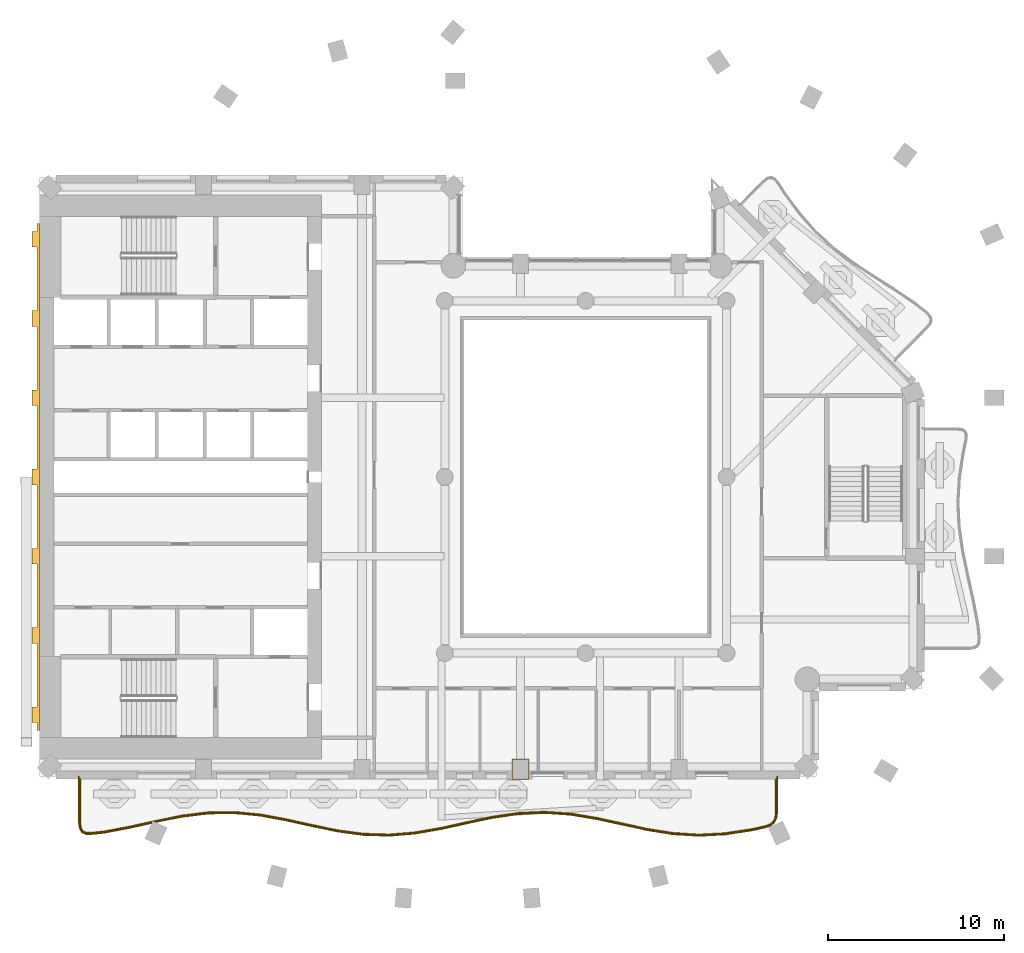
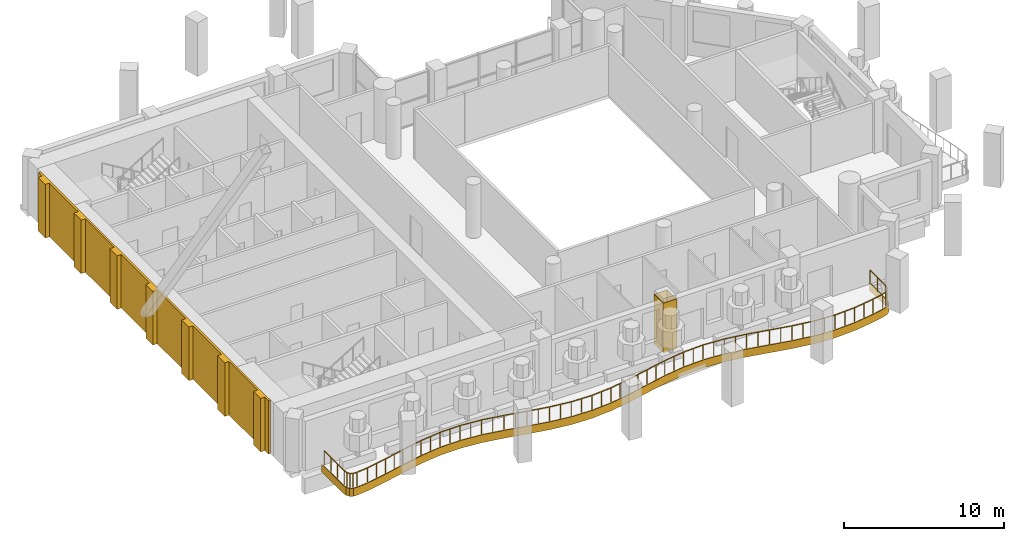
# One storey, part 12 of 16: 3 coverings, 1 railing.
"""IFC4 building model written with IfcOpenShell, lengths in metres."""

from ifc_helpers import new_model, si_unit, direction, frame, origin, origin_2d, place, context, subcontext, project, spatial, polyline, rectangle, outline, extrude, material, layer, layer_set, type_object, element, save


model = new_model("IFC4")

# Units and contexts
model_context = context("Model", 3, precision=1e-05, world=origin(), true_north=direction((0.0, 1.0)))
body_context = subcontext(model_context, "Body", "Model", "MODEL_VIEW")
ifc_project = project(units=[si_unit("LENGTHUNIT", "METRE"), si_unit("AREAUNIT", "SQUARE_METRE"), si_unit("VOLUMEUNIT", "CUBIC_METRE"), si_unit("PLANEANGLEUNIT", "RADIAN"), si_unit("MASSUNIT", "GRAM", prefix="KILO")], contexts=[model_context])

# Site, building, storey
site_placement = place(None, origin())
site = spatial("IfcSite", under=ifc_project, at=site_placement, CompositionType="ELEMENT")
building_placement = place(site_placement, origin())
building = spatial("IfcBuilding", under=site, at=building_placement, Name="Cypress Arch Tower", CompositionType="ELEMENT")
storey_placement = place(building_placement, frame((0.0, 0.0, 172.800048828125)))
storey = spatial("IfcBuildingStorey", under=building, at=storey_placement, Name="L37", CompositionType="ELEMENT", Elevation=172.800048828125)

# Covering
ifc_material_1 = material(Name="White powder-coated aluminium fascia", Category="aluminium")
ifc_layer_1 = layer(ifc_material_1, 0.050048828125)
ifc_layer_set_1 = layer_set([ifc_layer_1], Name="Balcony fascia BF50")
covering_type_1 = type_object("IfcCoveringType", Name="Balcony fascia BF50", PredefinedType="CLADDING", material=ifc_layer_set_1)
covering_1_placement = place(storey_placement, frame((0.0, 0.0, -0.60009765625)))
element("IfcCovering", 1, at=covering_1_placement, inside=storey, type_object=covering_type_1, Name="Balcony fascia L37-B01", PredefinedType="CLADDING", context=body_context, shape_type="SweptSolid", body=[
    extrude(outline(polyline([(11.89990234375, -19.06884765625), (11.857177734375, -19.385009765625), (11.724609375, -19.638916015625), (11.50390625, -19.821533203125), (11.203857421875, -19.9296875), (10.392333984375, -20.103271484375), (8.921875, -20.328369140625), (7.44970703125, -20.40625), (5.977783203125, -20.317138671875), (4.507568359375, -20.083740234375), (3.039306640625, -19.7666015625), (1.573974609375, -19.447021484375), (0.11083984375, -19.206787109375), (-1.3505859375, -19.107421875), (-2.811767578125, -19.173583984375), (-4.2744140625, -19.388916015625), (-5.739501953125, -19.698486328125), (-7.20703125, -20.023193359375), (-8.677001953125, -20.279541015625), (-10.148681640625, -20.401611328125), (-11.620849609375, -20.357421875), (-13.091796875, -20.15869140625), (-14.560546875, -19.85693359375), (-16.026611328125, -19.529541015625), (-17.490234375, -19.260498046875), (-18.9521484375, -19.118408203125), (-20.413330078125, -19.139404296875), (-21.87548828125, -19.318115234375), (-23.339599609375, -19.609130859375), (-24.806396484375, -19.93798828125), (-26.27587890625, -20.220703125), (-27.088134765625, -20.31103515625), (-27.39111328125, -20.301025390625), (-27.61962890625, -20.1884765625), (-27.756591796875, -19.973876953125), (-27.800048828125, -19.673828125), (-27.800048828125, -17.0009765625), (-27.75, -17.0009765625), (-27.75, -19.670166015625), (-27.708740234375, -19.9560546875), (-27.5849609375, -20.14990234375), (-27.378662109375, -20.25146484375), (-27.090087890625, -20.260986328125), (-26.283447265625, -20.17138671875), (-24.816650390625, -19.88916015625), (-23.35009765625, -19.56005859375), (-21.88330078125, -19.2685546875), (-20.416748046875, -19.08935546875), (-18.949951171875, -19.068359375), (-17.4833984375, -19.2109375), (-16.0166015625, -19.48046875), (-14.550048828125, -19.80810546875), (-13.083251953125, -20.109375), (-11.61669921875, -20.3076171875), (-10.14990234375, -20.3515625), (-8.683349609375, -20.22998046875), (-7.216552734375, -19.97412109375), (-5.75, -19.649658203125), (-4.283447265625, -19.33984375), (-2.816650390625, -19.123779296875), (-1.35009765625, -19.05712890625), (0.11669921875, -19.1572265625), (1.583251953125, -19.39794921875), (3.050048828125, -19.7177734375), (4.5166015625, -20.03466796875), (5.9833984375, -20.267333984375), (7.449951171875, -20.356201171875), (8.916748046875, -20.278564453125), (10.38330078125, -20.053955078125), (11.18994140625, -19.881591796875), (11.478759765625, -19.777587890625), (11.68505859375, -19.60693359375), (11.808837890625, -19.36962890625), (11.85009765625, -19.0654296875), (11.85009765625, -17.0009765625), (11.89990234375, -17.0009765625), (11.89990234375, -19.06884765625)])), origin(), (0.0, 0.0, 1.0), 0.60009765625),
])

# Railing
ifc_material_2 = material(Name="Powder-coated steel posts and rods, 100 mm clear between rods", Category="steel")
railing_type = type_object("IfcRailingType", Name="Balcony guard GR1100", PredefinedType="GUARDRAIL", material=ifc_material_2)
railing_placement = place(storey_placement, frame((11.800048828125, -17.14990234375, 0.0)))
element("IfcRailing", 2, at=railing_placement, inside=storey, type_object=railing_type, Name="Balcony guard L37-B01", PredefinedType="GUARDRAIL", context=body_context, shape_type="SweptSolid", body=[
    extrude(rectangle(XDim=0.050048828125, YDim=0.050048828125, at=origin_2d()), frame((0.0, 0.0, 1.0751953125), z_axis=(0.0, -1.0, 0.0), x_axis=(1.0, 0.0, 0.0)), (0.0, 0.0, 1.0), 1.912109375),
    extrude(rectangle(XDim=0.050048828125, YDim=0.050048828125, at=origin_2d()), frame((0.0, -1.912109375, 1.0751953125), z_axis=(-0.134115656737, -0.990965685893, 0.0), x_axis=(0.990965685893, -0.134115656737, 0.0)), (0.0, 0.0, 1.0), 0.294921875),
    extrude(rectangle(XDim=0.050048828125, YDim=0.050048828125, at=origin_2d()), frame((-0.03955078125, -2.204345703125, 1.0751953125), z_axis=(-0.462834078926, -0.886444930825, 0.0), x_axis=(0.886444930825, -0.462834078926, 0.0)), (0.0, 0.0, 1.0), 0.2490234375),
    extrude(rectangle(XDim=0.050048828125, YDim=0.050048828125, at=origin_2d()), frame((-0.15478515625, -2.425048828125, 1.0751953125), z_axis=(-0.770710175126, -0.637185864531, 0.0), x_axis=(0.637185864531, -0.770710175126, 0.0)), (0.0, 0.0, 1.0), 0.248779296875),
    extrude(rectangle(XDim=0.050048828125, YDim=0.050048828125, at=origin_2d()), frame((-0.346435546875, -2.58349609375, 1.0751953125), z_axis=(-0.940876853154, -0.338748796602, 0.0), x_axis=(0.338748796602, -0.940876853154, 0.0)), (0.0, 0.0, 1.0), 0.294677734375),
    extrude(rectangle(XDim=0.050048828125, YDim=0.050048828125, at=origin_2d()), frame((-0.623779296875, -2.683349609375, 1.0751953125), z_axis=(-0.977859009022, -0.209264804671, 0.0), x_axis=(0.209264804671, -0.977859009022, 0.0)), (0.0, 0.0, 1.0), 0.820068359375),
    extrude(rectangle(XDim=0.050048828125, YDim=0.050048828125, at=origin_2d()), frame((-1.42578125, -2.85498046875, 1.0751953125), z_axis=(-0.98848776346, -0.151300831095, 0.0), x_axis=(0.151300831095, -0.98848776346, 0.0)), (0.0, 0.0, 1.0), 1.479736328125),
    extrude(rectangle(XDim=0.050048828125, YDim=0.050048828125, at=origin_2d()), frame((-2.888427734375, -3.078857421875, 1.0751953125), z_axis=(-0.998600725843, -0.052882798211, 0.0), x_axis=(0.052882798211, -0.998600725843, 0.0)), (0.0, 0.0, 1.0), 1.46337890625),
    extrude(rectangle(XDim=0.050048828125, YDim=0.050048828125, at=origin_2d()), frame((-4.349853515625, -3.15625, 1.0751953125), z_axis=(-0.998166360143, 0.06053030216, 0.0), x_axis=(-0.06053030216, -0.998166360143, 0.0)), (0.0, 0.0, 1.0), 1.464111328125),
    extrude(rectangle(XDim=0.050048828125, YDim=0.050048828125, at=origin_2d()), frame((-5.811279296875, -3.067626953125, 1.0751953125), z_axis=(-0.987638363848, 0.156749680244, 0.0), x_axis=(-0.156749680244, -0.987638363848, 0.0)), (0.0, 0.0, 1.0), 1.481201171875),
    extrude(rectangle(XDim=0.050048828125, YDim=0.050048828125, at=origin_2d()), frame((-7.274169921875, -2.83544921875, 1.0751953125), z_axis=(-0.977438705998, 0.211219260526, 0.0), x_axis=(-0.211219260526, -0.977438705998, 0.0)), (0.0, 0.0, 1.0), 1.499267578125),
    extrude(rectangle(XDim=0.050048828125, YDim=0.050048828125, at=origin_2d()), frame((-8.739501953125, -2.518798828125, 1.0751953125), z_axis=(-0.977039755529, 0.213057072438, 0.0), x_axis=(-0.213057072438, -0.977039755529, 0.0)), (0.0, 0.0, 1.0), 1.502197265625),
    extrude(rectangle(XDim=0.050048828125, YDim=0.050048828125, at=origin_2d()), frame((-10.207275390625, -2.19873046875, 1.0751953125), z_axis=(-0.986811366095, 0.161874419675, 0.0), x_axis=(-0.161874419675, -0.986811366095, 0.0)), (0.0, 0.0, 1.0), 1.489990234375),
    extrude(rectangle(XDim=0.050048828125, YDim=0.050048828125, at=origin_2d()), frame((-11.677734375, -1.95751953125, 1.0751953125), z_axis=(-0.997683692682, 0.068023888137, 0.0), x_axis=(-0.068023888137, -0.997683692682, 0.0)), (0.0, 0.0, 1.0), 1.47509765625),
    extrude(rectangle(XDim=0.050048828125, YDim=0.050048828125, at=origin_2d()), frame((-13.1494140625, -1.857177734375, 1.0751953125), z_axis=(-0.998969223258, -0.045392631372, 0.0), x_axis=(0.045392631372, -0.998969223258, 0.0)), (0.0, 0.0, 1.0), 1.4736328125),
    extrude(rectangle(XDim=0.050048828125, YDim=0.050048828125, at=origin_2d()), frame((-14.62158203125, -1.924072265625, 1.0751953125), z_axis=(-0.98933269733, -0.145673655799, 0.0), x_axis=(0.145673655799, -0.98933269733, 0.0)), (0.0, 0.0, 1.0), 1.486572265625),
    extrude(rectangle(XDim=0.050048828125, YDim=0.050048828125, at=origin_2d()), frame((-16.09228515625, -2.140625, 1.0751953125), z_axis=(-0.978388960308, -0.206772924601, 0.0), x_axis=(0.206772924601, -0.978388960308, 0.0)), (0.0, 0.0, 1.0), 1.500732421875),
    extrude(rectangle(XDim=0.050048828125, YDim=0.050048828125, at=origin_2d()), frame((-17.560546875, -2.450927734375, 1.0751953125), z_axis=(-0.976400866367, -0.215966081035, 0.0), x_axis=(0.215966081035, -0.976400866367, 0.0)), (0.0, 0.0, 1.0), 1.501220703125),
    extrude(rectangle(XDim=0.050048828125, YDim=0.050048828125, at=origin_2d()), frame((-19.0263671875, -2.775146484375, 1.0751953125), z_axis=(-0.985112679222, -0.171909886965, 0.0), x_axis=(0.171909886965, -0.985112679222, 0.0)), (0.0, 0.0, 1.0), 1.485595703125),
    extrude(rectangle(XDim=0.050048828125, YDim=0.050048828125, at=origin_2d()), frame((-20.48974609375, -3.030517578125, 1.0751953125), z_axis=(-0.996585821194, -0.082563315068, 0.0), x_axis=(0.082563315068, -0.996585821194, 0.0)), (0.0, 0.0, 1.0), 1.466796875),
    extrude(rectangle(XDim=0.050048828125, YDim=0.050048828125, at=origin_2d()), frame((-21.951416015625, -3.151611328125, 1.0751953125), z_axis=(-0.99954804811, 0.030061595432, 0.0), x_axis=(-0.030061595432, -0.99954804811, 0.0)), (0.0, 0.0, 1.0), 1.4619140625),
    extrude(rectangle(XDim=0.050048828125, YDim=0.050048828125, at=origin_2d()), frame((-23.41259765625, -3.107666015625, 1.0751953125), z_axis=(-0.991002515576, 0.133843244591, 0.0), x_axis=(-0.133843244591, -0.991002515576, 0.0)), (0.0, 0.0, 1.0), 1.4755859375),
    extrude(rectangle(XDim=0.050048828125, YDim=0.050048828125, at=origin_2d()), frame((-24.875, -2.91015625, 1.0751953125), z_axis=(-0.97952433369, 0.201325804874, 0.0), x_axis=(-0.201325804874, -0.97952433369, 0.0)), (0.0, 0.0, 1.0), 1.4951171875),
    extrude(rectangle(XDim=0.050048828125, YDim=0.050048828125, at=origin_2d()), frame((-26.339599609375, -2.609130859375, 1.0751953125), z_axis=(-0.97595722182, 0.217962155381, 0.0), x_axis=(-0.217962155381, -0.97595722182, 0.0)), (0.0, 0.0, 1.0), 1.503173828125),
    extrude(rectangle(XDim=0.050048828125, YDim=0.050048828125, at=origin_2d()), frame((-27.806640625, -2.281494140625, 1.0751953125), z_axis=(-0.9835388712, 0.180696676337, 0.0), x_axis=(-0.180696676337, -0.9835388712, 0.0)), (0.0, 0.0, 1.0), 1.494384765625),
    extrude(rectangle(XDim=0.050048828125, YDim=0.050048828125, at=origin_2d()), frame((-29.2763671875, -2.011474609375, 1.0751953125), z_axis=(-0.995308045195, 0.096756886942, 0.0), x_axis=(-0.096756886942, -0.995308045195, 0.0)), (0.0, 0.0, 1.0), 1.478515625),
    extrude(rectangle(XDim=0.050048828125, YDim=0.050048828125, at=origin_2d()), frame((-30.748046875, -1.868408203125, 1.0751953125), z_axis=(-0.999898312859, -0.014260572953, 0.0), x_axis=(0.014260572953, -0.999898312859, 0.0)), (0.0, 0.0, 1.0), 1.472412109375),
    extrude(rectangle(XDim=0.050048828125, YDim=0.050048828125, at=origin_2d()), frame((-32.22021484375, -1.889404296875, 1.0751953125), z_axis=(-0.992603817054, -0.121398774173, 0.0), x_axis=(0.121398774173, -0.992603817054, 0.0)), (0.0, 0.0, 1.0), 1.482177734375),
    extrude(rectangle(XDim=0.050048828125, YDim=0.050048828125, at=origin_2d()), frame((-33.69140625, -2.0693359375, 1.0751953125), z_axis=(-0.980811960963, -0.194956141817, 0.0), x_axis=(0.194956141817, -0.980811960963, 0.0)), (0.0, 0.0, 1.0), 1.497802734375),
    extrude(rectangle(XDim=0.050048828125, YDim=0.050048828125, at=origin_2d()), frame((-35.160400390625, -2.361328125, 1.0751953125), z_axis=(-0.975768652778, -0.218804790293, 0.0), x_axis=(0.218804790293, -0.975768652778, 0.0)), (0.0, 0.0, 1.0), 1.5029296875),
    extrude(rectangle(XDim=0.050048828125, YDim=0.050048828125, at=origin_2d()), frame((-36.626953125, -2.690185546875, 1.0751953125), z_axis=(-0.981978400967, -0.188993174569, 0.0), x_axis=(0.188993174569, -0.981978400967, 0.0)), (0.0, 0.0, 1.0), 1.49072265625),
    extrude(rectangle(XDim=0.050048828125, YDim=0.050048828125, at=origin_2d()), frame((-38.0908203125, -2.971923828125, 1.0751953125), z_axis=(-0.993905873355, -0.110232095643, 0.0), x_axis=(0.110232095643, -0.993905873355, 0.0)), (0.0, 0.0, 1.0), 0.80615234375),
    extrude(rectangle(XDim=0.050048828125, YDim=0.050048828125, at=origin_2d()), frame((-38.89208984375, -3.060791015625, 1.0751953125), z_axis=(-0.999487482843, 0.032012054611, 0.0), x_axis=(-0.032012054611, -0.999487482843, 0.0)), (0.0, 0.0, 1.0), 0.274658203125),
    extrude(rectangle(XDim=0.050048828125, YDim=0.050048828125, at=origin_2d()), frame((-39.16650390625, -3.052001953125, 1.0751953125), z_axis=(-0.896560091803, 0.442922117066, 0.0), x_axis=(-0.442922117066, -0.896560091803, 0.0)), (0.0, 0.0, 1.0), 0.205078125),
    extrude(rectangle(XDim=0.050048828125, YDim=0.050048828125, at=origin_2d()), frame((-39.350341796875, -2.961181640625, 1.0751953125), z_axis=(-0.53895240929, 0.842336215843, 0.0), x_axis=(-0.842336215843, -0.53895240929, 0.0)), (0.0, 0.0, 1.0), 0.205322265625),
    extrude(rectangle(XDim=0.050048828125, YDim=0.050048828125, at=origin_2d()), frame((-39.4609375, -2.788330078125, 1.0751953125), z_axis=(-0.142292845106, 0.989824603772, 0.0), x_axis=(-0.989824603772, -0.142292845106, 0.0)), (0.0, 0.0, 1.0), 0.2744140625),
    extrude(rectangle(XDim=0.050048828125, YDim=0.050048828125, at=origin_2d()), frame((-39.5, -2.5166015625, 1.0751953125), z_axis=(0.0, 1.0, 0.0), x_axis=(-1.0, 0.0, 0.0)), (0.0, 0.0, 1.0), 2.5166015625),
    extrude(rectangle(XDim=0.0400390625, YDim=0.0400390625, at=origin_2d()), origin(), (0.0, 0.0, 1.0), 1.050048828125),
    extrude(rectangle(XDim=0.0400390625, YDim=0.0400390625, at=origin_2d()), frame((0.0, -0.9560546875, 0.0)), (0.0, 0.0, 1.0), 1.050048828125),
    extrude(rectangle(XDim=0.0400390625, YDim=0.0400390625, at=origin_2d()), frame((0.0, -1.912109375, 0.0)), (0.0, 0.0, 1.0), 1.050048828125),
    extrude(rectangle(XDim=0.0400390625, YDim=0.0400390625, at=origin_2d()), frame((-0.03955078125, -2.204345703125, 0.0)), (0.0, 0.0, 1.0), 1.050048828125),
    extrude(rectangle(XDim=0.0400390625, YDim=0.0400390625, at=origin_2d()), frame((-0.15478515625, -2.425048828125, 0.0)), (0.0, 0.0, 1.0), 1.050048828125),
    extrude(rectangle(XDim=0.0400390625, YDim=0.0400390625, at=origin_2d()), frame((-0.346435546875, -2.58349609375, 0.0)), (0.0, 0.0, 1.0), 1.050048828125),
    extrude(rectangle(XDim=0.0400390625, YDim=0.0400390625, at=origin_2d()), frame((-0.623779296875, -2.683349609375, 0.0)), (0.0, 0.0, 1.0), 1.050048828125),
    extrude(rectangle(XDim=0.0400390625, YDim=0.0400390625, at=origin_2d()), frame((-1.42578125, -2.85498046875, 0.0)), (0.0, 0.0, 1.0), 1.050048828125),
    extrude(rectangle(XDim=0.0400390625, YDim=0.0400390625, at=origin_2d()), frame((-2.1572265625, -2.966796875, 0.0)), (0.0, 0.0, 1.0), 1.050048828125),
    extrude(rectangle(XDim=0.0400390625, YDim=0.0400390625, at=origin_2d()), frame((-2.888427734375, -3.078857421875, 0.0)), (0.0, 0.0, 1.0), 1.050048828125),
    extrude(rectangle(XDim=0.0400390625, YDim=0.0400390625, at=origin_2d()), frame((-3.619140625, -3.11767578125, 0.0)), (0.0, 0.0, 1.0), 1.050048828125),
    extrude(rectangle(XDim=0.0400390625, YDim=0.0400390625, at=origin_2d()), frame((-4.349853515625, -3.15625, 0.0)), (0.0, 0.0, 1.0), 1.050048828125),
    extrude(rectangle(XDim=0.0400390625, YDim=0.0400390625, at=origin_2d()), frame((-5.08056640625, -3.11181640625, 0.0)), (0.0, 0.0, 1.0), 1.050048828125),
    extrude(rectangle(XDim=0.0400390625, YDim=0.0400390625, at=origin_2d()), frame((-5.811279296875, -3.067626953125, 0.0)), (0.0, 0.0, 1.0), 1.050048828125),
    extrude(rectangle(XDim=0.0400390625, YDim=0.0400390625, at=origin_2d()), frame((-6.542724609375, -2.95166015625, 0.0)), (0.0, 0.0, 1.0), 1.050048828125),
    extrude(rectangle(XDim=0.0400390625, YDim=0.0400390625, at=origin_2d()), frame((-7.274169921875, -2.83544921875, 0.0)), (0.0, 0.0, 1.0), 1.050048828125),
    extrude(rectangle(XDim=0.0400390625, YDim=0.0400390625, at=origin_2d()), frame((-8.0068359375, -2.67724609375, 0.0)), (0.0, 0.0, 1.0), 1.050048828125),
    extrude(rectangle(XDim=0.0400390625, YDim=0.0400390625, at=origin_2d()), frame((-8.739501953125, -2.518798828125, 0.0)), (0.0, 0.0, 1.0), 1.050048828125),
    extrude(rectangle(XDim=0.0400390625, YDim=0.0400390625, at=origin_2d()), frame((-9.473388671875, -2.35888671875, 0.0)), (0.0, 0.0, 1.0), 1.050048828125),
    extrude(rectangle(XDim=0.0400390625, YDim=0.0400390625, at=origin_2d()), frame((-10.207275390625, -2.19873046875, 0.0)), (0.0, 0.0, 1.0), 1.050048828125),
    extrude(rectangle(XDim=0.0400390625, YDim=0.0400390625, at=origin_2d()), frame((-10.9423828125, -2.078125, 0.0)), (0.0, 0.0, 1.0), 1.050048828125),
    extrude(rectangle(XDim=0.0400390625, YDim=0.0400390625, at=origin_2d()), frame((-11.677734375, -1.95751953125, 0.0)), (0.0, 0.0, 1.0), 1.050048828125),
    extrude(rectangle(XDim=0.0400390625, YDim=0.0400390625, at=origin_2d()), frame((-12.41357421875, -1.9072265625, 0.0)), (0.0, 0.0, 1.0), 1.050048828125),
    extrude(rectangle(XDim=0.0400390625, YDim=0.0400390625, at=origin_2d()), frame((-13.1494140625, -1.857177734375, 0.0)), (0.0, 0.0, 1.0), 1.050048828125),
    extrude(rectangle(XDim=0.0400390625, YDim=0.0400390625, at=origin_2d()), frame((-13.885498046875, -1.890625, 0.0)), (0.0, 0.0, 1.0), 1.050048828125),
    extrude(rectangle(XDim=0.0400390625, YDim=0.0400390625, at=origin_2d()), frame((-14.62158203125, -1.924072265625, 0.0)), (0.0, 0.0, 1.0), 1.050048828125),
    extrude(rectangle(XDim=0.0400390625, YDim=0.0400390625, at=origin_2d()), frame((-15.35693359375, -2.0322265625, 0.0)), (0.0, 0.0, 1.0), 1.050048828125),
    extrude(rectangle(XDim=0.0400390625, YDim=0.0400390625, at=origin_2d()), frame((-16.09228515625, -2.140625, 0.0)), (0.0, 0.0, 1.0), 1.050048828125),
    extrude(rectangle(XDim=0.0400390625, YDim=0.0400390625, at=origin_2d()), frame((-16.826416015625, -2.2958984375, 0.0)), (0.0, 0.0, 1.0), 1.050048828125),
    extrude(rectangle(XDim=0.0400390625, YDim=0.0400390625, at=origin_2d()), frame((-17.560546875, -2.450927734375, 0.0)), (0.0, 0.0, 1.0), 1.050048828125),
    extrude(rectangle(XDim=0.0400390625, YDim=0.0400390625, at=origin_2d()), frame((-18.29345703125, -2.613037109375, 0.0)), (0.0, 0.0, 1.0), 1.050048828125),
    extrude(rectangle(XDim=0.0400390625, YDim=0.0400390625, at=origin_2d()), frame((-19.0263671875, -2.775146484375, 0.0)), (0.0, 0.0, 1.0), 1.050048828125),
    extrude(rectangle(XDim=0.0400390625, YDim=0.0400390625, at=origin_2d()), frame((-19.758056640625, -2.90283203125, 0.0)), (0.0, 0.0, 1.0), 1.050048828125),
    extrude(rectangle(XDim=0.0400390625, YDim=0.0400390625, at=origin_2d()), frame((-20.48974609375, -3.030517578125, 0.0)), (0.0, 0.0, 1.0), 1.050048828125),
    extrude(rectangle(XDim=0.0400390625, YDim=0.0400390625, at=origin_2d()), frame((-21.220703125, -3.091064453125, 0.0)), (0.0, 0.0, 1.0), 1.050048828125),
    extrude(rectangle(XDim=0.0400390625, YDim=0.0400390625, at=origin_2d()), frame((-21.951416015625, -3.151611328125, 0.0)), (0.0, 0.0, 1.0), 1.050048828125),
    extrude(rectangle(XDim=0.0400390625, YDim=0.0400390625, at=origin_2d()), frame((-22.68212890625, -3.129638671875, 0.0)), (0.0, 0.0, 1.0), 1.050048828125),
    extrude(rectangle(XDim=0.0400390625, YDim=0.0400390625, at=origin_2d()), frame((-23.41259765625, -3.107666015625, 0.0)), (0.0, 0.0, 1.0), 1.050048828125),
    extrude(rectangle(XDim=0.0400390625, YDim=0.0400390625, at=origin_2d()), frame((-24.143798828125, -3.0087890625, 0.0)), (0.0, 0.0, 1.0), 1.050048828125),
    extrude(rectangle(XDim=0.0400390625, YDim=0.0400390625, at=origin_2d()), frame((-24.875, -2.91015625, 0.0)), (0.0, 0.0, 1.0), 1.050048828125),
    extrude(rectangle(XDim=0.0400390625, YDim=0.0400390625, at=origin_2d()), frame((-25.607421875, -2.759765625, 0.0)), (0.0, 0.0, 1.0), 1.050048828125),
    extrude(rectangle(XDim=0.0400390625, YDim=0.0400390625, at=origin_2d()), frame((-26.339599609375, -2.609130859375, 0.0)), (0.0, 0.0, 1.0), 1.050048828125),
    extrude(rectangle(XDim=0.0400390625, YDim=0.0400390625, at=origin_2d()), frame((-27.0732421875, -2.4453125, 0.0)), (0.0, 0.0, 1.0), 1.050048828125),
    extrude(rectangle(XDim=0.0400390625, YDim=0.0400390625, at=origin_2d()), frame((-27.806640625, -2.281494140625, 0.0)), (0.0, 0.0, 1.0), 1.050048828125),
    extrude(rectangle(XDim=0.0400390625, YDim=0.0400390625, at=origin_2d()), frame((-28.54150390625, -2.146484375, 0.0)), (0.0, 0.0, 1.0), 1.050048828125),
    extrude(rectangle(XDim=0.0400390625, YDim=0.0400390625, at=origin_2d()), frame((-29.2763671875, -2.011474609375, 0.0)), (0.0, 0.0, 1.0), 1.050048828125),
    extrude(rectangle(XDim=0.0400390625, YDim=0.0400390625, at=origin_2d()), frame((-30.01220703125, -1.93994140625, 0.0)), (0.0, 0.0, 1.0), 1.050048828125),
    extrude(rectangle(XDim=0.0400390625, YDim=0.0400390625, at=origin_2d()), frame((-30.748046875, -1.868408203125, 0.0)), (0.0, 0.0, 1.0), 1.050048828125),
    extrude(rectangle(XDim=0.0400390625, YDim=0.0400390625, at=origin_2d()), frame((-31.484130859375, -1.87890625, 0.0)), (0.0, 0.0, 1.0), 1.050048828125),
    extrude(rectangle(XDim=0.0400390625, YDim=0.0400390625, at=origin_2d()), frame((-32.22021484375, -1.889404296875, 0.0)), (0.0, 0.0, 1.0), 1.050048828125),
    extrude(rectangle(XDim=0.0400390625, YDim=0.0400390625, at=origin_2d()), frame((-32.955810546875, -1.9794921875, 0.0)), (0.0, 0.0, 1.0), 1.050048828125),
    extrude(rectangle(XDim=0.0400390625, YDim=0.0400390625, at=origin_2d()), frame((-33.69140625, -2.0693359375, 0.0)), (0.0, 0.0, 1.0), 1.050048828125),
    extrude(rectangle(XDim=0.0400390625, YDim=0.0400390625, at=origin_2d()), frame((-34.42578125, -2.21533203125, 0.0)), (0.0, 0.0, 1.0), 1.050048828125),
    extrude(rectangle(XDim=0.0400390625, YDim=0.0400390625, at=origin_2d()), frame((-35.160400390625, -2.361328125, 0.0)), (0.0, 0.0, 1.0), 1.050048828125),
    extrude(rectangle(XDim=0.0400390625, YDim=0.0400390625, at=origin_2d()), frame((-35.8935546875, -2.52587890625, 0.0)), (0.0, 0.0, 1.0), 1.050048828125),
    extrude(rectangle(XDim=0.0400390625, YDim=0.0400390625, at=origin_2d()), frame((-36.626953125, -2.690185546875, 0.0)), (0.0, 0.0, 1.0), 1.050048828125),
    extrude(rectangle(XDim=0.0400390625, YDim=0.0400390625, at=origin_2d()), frame((-37.35888671875, -2.8310546875, 0.0)), (0.0, 0.0, 1.0), 1.050048828125),
    extrude(rectangle(XDim=0.0400390625, YDim=0.0400390625, at=origin_2d()), frame((-38.0908203125, -2.971923828125, 0.0)), (0.0, 0.0, 1.0), 1.050048828125),
    extrude(rectangle(XDim=0.0400390625, YDim=0.0400390625, at=origin_2d()), frame((-38.89208984375, -3.060791015625, 0.0)), (0.0, 0.0, 1.0), 1.050048828125),
    extrude(rectangle(XDim=0.0400390625, YDim=0.0400390625, at=origin_2d()), frame((-39.16650390625, -3.052001953125, 0.0)), (0.0, 0.0, 1.0), 1.050048828125),
    extrude(rectangle(XDim=0.0400390625, YDim=0.0400390625, at=origin_2d()), frame((-39.350341796875, -2.961181640625, 0.0)), (0.0, 0.0, 1.0), 1.050048828125),
    extrude(rectangle(XDim=0.0400390625, YDim=0.0400390625, at=origin_2d()), frame((-39.4609375, -2.788330078125, 0.0)), (0.0, 0.0, 1.0), 1.050048828125),
    extrude(rectangle(XDim=0.0400390625, YDim=0.0400390625, at=origin_2d()), frame((-39.5, -2.5166015625, 0.0)), (0.0, 0.0, 1.0), 1.050048828125),
    extrude(rectangle(XDim=0.0400390625, YDim=0.0400390625, at=origin_2d()), frame((-39.5, -1.677734375, 0.0)), (0.0, 0.0, 1.0), 1.050048828125),
    extrude(rectangle(XDim=0.0400390625, YDim=0.0400390625, at=origin_2d()), frame((-39.5, -0.8388671875, 0.0)), (0.0, 0.0, 1.0), 1.050048828125),
    extrude(rectangle(XDim=0.0400390625, YDim=0.0400390625, at=origin_2d()), frame((-39.5, 0.0, 0.0)), (0.0, 0.0, 1.0), 1.050048828125),
])

# Coverings
ifc_material_3 = material(Name="Painted plasterboard column casing")
ifc_layer_2 = layer(ifc_material_3, 0.0400390625)
ifc_layer_set_2 = layer_set([ifc_layer_2], Name="Column casing CK40")
covering_type_2 = type_object("IfcCoveringType", Name="Column casing CK40", PredefinedType="CLADDING", material=ifc_layer_set_2)
covering_2_placement = place(storey_placement, origin())
element("IfcCovering", 3, at=covering_2_placement, inside=storey, type_object=covering_type_2, Name="Column casing L37 CB04", PredefinedType="CLADDING", context=body_context, shape_type="SweptSolid", body=[
    extrude(outline(polyline([(-3.18994140625, -17.18994140625), (-3.18994140625, -16.010009765625), (-2.2099609375, -16.010009765625), (-2.2099609375, -17.18994140625), (-3.18994140625, -17.18994140625)]), holes=[polyline([(-3.14990234375, -17.14990234375), (-2.25, -17.14990234375), (-2.25, -16.050048828125), (-3.14990234375, -16.050048828125), (-3.14990234375, -17.14990234375)])]), origin(), (0.0, 0.0, 1.0), 3.800048828125),
])
ifc_material_4 = material(Name="Brick (red buff blend)", Category="masonry")
ifc_layer_3 = layer(ifc_material_4, 0.449951171875)
ifc_layer_set_3 = layer_set([ifc_layer_3], Name="West face brick piers WP450")
covering_type_3 = type_object("IfcCoveringType", Name="West face brick piers WP450", PredefinedType="CLADDING", material=ifc_layer_set_3)
covering_3_placement = place(storey_placement, origin())
element("IfcCovering", 4, at=covering_3_placement, inside=storey, type_object=covering_type_3, Name="West face brick piers L37", PredefinedType="CLADDING", context=body_context, shape_type="SweptSolid", body=[
    extrude(outline(polyline([(-30.14990234375, -13.050048828125), (-30.14990234375, -9.449951171875), (-30.449951171875, -9.449951171875), (-30.449951171875, -8.550048828125), (-30.14990234375, -8.550048828125), (-30.14990234375, -4.949951171875), (-30.449951171875, -4.949951171875), (-30.449951171875, -4.050048828125), (-30.14990234375, -4.050048828125), (-30.14990234375, -0.449951171875), (-30.449951171875, -0.449951171875), (-30.449951171875, 0.449951171875), (-30.14990234375, 0.449951171875), (-30.14990234375, 4.050048828125), (-30.449951171875, 4.050048828125), (-30.449951171875, 4.949951171875), (-30.14990234375, 4.949951171875), (-30.14990234375, 8.550048828125), (-30.449951171875, 8.550048828125), (-30.449951171875, 9.449951171875), (-30.14990234375, 9.449951171875), (-30.14990234375, 13.050048828125), (-30.449951171875, 13.050048828125), (-30.449951171875, 13.949951171875), (-30.14990234375, 13.949951171875), (-30.14990234375, 14.39990234375), (-30.0, 14.39990234375), (-30.0, -14.39990234375), (-30.14990234375, -14.39990234375), (-30.14990234375, -13.949951171875), (-30.449951171875, -13.949951171875), (-30.449951171875, -13.050048828125), (-30.14990234375, -13.050048828125)])), origin(), (0.0, 0.0, 1.0), 4.099853515625),
])

save(model, "model.ifc")
